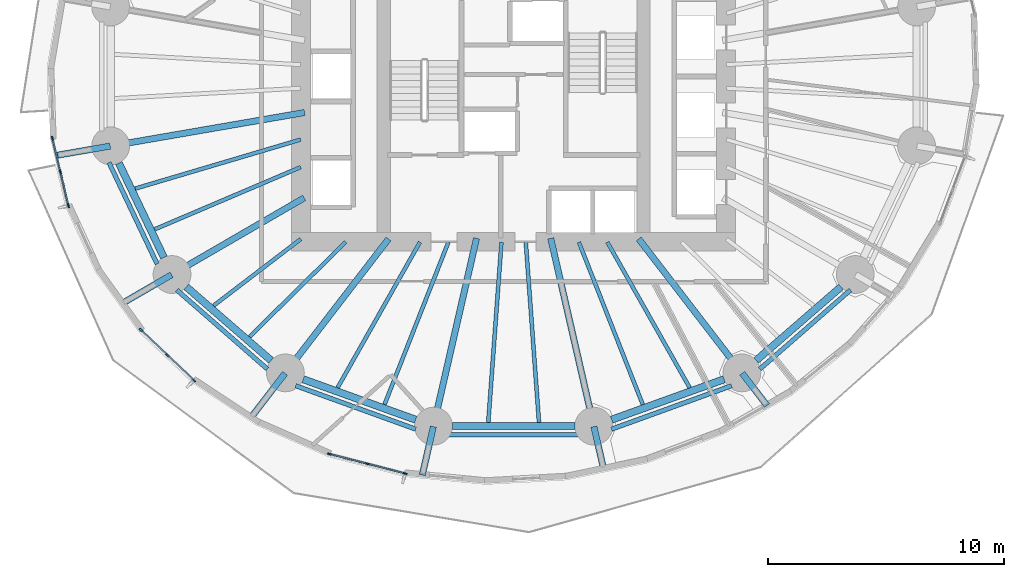
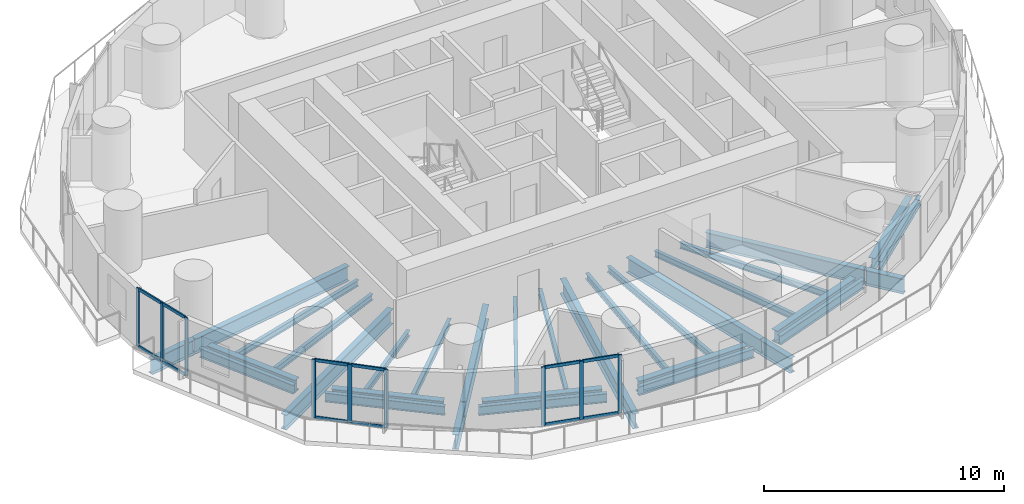
# One storey, part 2 of 14: 34 beams, 21 members, 3 elements without a shape of their own.
"""IFC4 building model written with IfcOpenShell, lengths in metres."""

from ifc_helpers import new_model, si_unit, direction, frame, origin, origin_2d, place, context, subcontext, project, spatial, rectangle, i_section, extrude, material, material_profile, profile_set, type_object, element, aggregate, save


model = new_model("IFC4")

# Units and contexts
model_context = context("Model", 3, precision=1e-05, world=origin(), true_north=direction((0.0, 1.0)))
body_context = subcontext(model_context, "Body", "Model", "MODEL_VIEW")
ifc_project = project(units=[si_unit("LENGTHUNIT", "METRE"), si_unit("AREAUNIT", "SQUARE_METRE"), si_unit("VOLUMEUNIT", "CUBIC_METRE"), si_unit("PLANEANGLEUNIT", "RADIAN"), si_unit("MASSUNIT", "GRAM", prefix="KILO")], contexts=[model_context])

# Site, building, storey
site_placement = place(None, origin())
site = spatial("IfcSite", under=ifc_project, at=site_placement, CompositionType="ELEMENT")
building_placement = place(site_placement, origin())
building = spatial("IfcBuilding", under=site, at=building_placement, Name="Veldorim Arch Residences", CompositionType="ELEMENT")
storey_placement = place(building_placement, frame((0.0, 0.0, 34.39990234375)))
storey = spatial("IfcBuildingStorey", under=building, at=storey_placement, Name="L09", CompositionType="ELEMENT", Elevation=34.39990234375)

# Beams
ifc_material_1 = material(Name="Steel S355", Category="steel")
ifc_material_profile_1 = material_profile(ifc_material_1, i_section(OverallWidth=0.30712890625, OverallDepth=0.6201171875, WebThickness=0.01416015625, FlangeThickness=0.023681640625, at=origin_2d()), Name="UB610x305x179")
ifc_profile_set_1 = profile_set([ifc_material_profile_1], Name="Steel S355")
beam_type_1 = type_object("IfcBeamType", Name="Structural Steel Beam UB610x305x179", PredefinedType="BEAM", material=ifc_profile_set_1)
beam_1_placement = place(storey_placement, frame((15.27880859375, 20.33203125, -0.550048828125), z_axis=(0.430786696724, -0.902453778276, 0.0), x_axis=(0.902453778276, 0.430786696724, 0.0)))
element("IfcBeam", 1, at=beam_1_placement, inside=storey, type_object=beam_type_1, Name="L09 perimeter ring tie beam 09", PredefinedType="BEAM", context=body_context, shape_type="SweptSolid", body=[
    extrude(i_section(OverallWidth=0.30712890625, OverallDepth=0.6201171875, WebThickness=0.01416015625, FlangeThickness=0.023681640625, at=origin_2d()), origin(), (0.0, 0.0, 1.0), 4.431396484375),
])
beam_2_placement = place(storey_placement, frame((18.13671875, 15.086669921875, -0.550048828125), z_axis=(0.755235029424, -0.655454079499, 0.0), x_axis=(0.655454079499, 0.755235029424, 0.0)))
element("IfcBeam", 2, at=beam_2_placement, inside=storey, type_object=beam_type_1, Name="L09 perimeter ring tie beam 10", PredefinedType="BEAM", context=body_context, shape_type="SweptSolid", body=[
    extrude(i_section(OverallWidth=0.30712890625, OverallDepth=0.6201171875, WebThickness=0.01416015625, FlangeThickness=0.023681640625, at=origin_2d()), origin(), (0.0, 0.0, 1.0), 4.756591796875),
])
beam_3_placement = place(storey_placement, frame((23.0859375, 11.17431640625, -0.550048828125), z_axis=(0.94103540046, -0.338308106732, 0.0), x_axis=(0.338308106732, 0.94103540046, 0.0)))
element("IfcBeam", 3, at=beam_3_placement, inside=storey, type_object=beam_type_1, Name="L09 perimeter ring tie beam 11", PredefinedType="BEAM", context=body_context, shape_type="SweptSolid", body=[
    extrude(i_section(OverallWidth=0.30712890625, OverallDepth=0.6201171875, WebThickness=0.01416015625, FlangeThickness=0.023681640625, at=origin_2d()), origin(), (0.0, 0.0, 1.0), 5.065185546875),
])
beam_4_placement = place(storey_placement, frame((29.405517578125, 9.190185546875, -0.550048828125), z_axis=(1.0, 0.0, 0.0), x_axis=(0.0, 1.0, 0.0)))
element("IfcBeam", 4, at=beam_4_placement, inside=storey, type_object=beam_type_1, Name="L09 perimeter ring tie beam 12", PredefinedType="BEAM", context=body_context, shape_type="SweptSolid", body=[
    extrude(i_section(OverallWidth=0.30712890625, OverallDepth=0.6201171875, WebThickness=0.01416015625, FlangeThickness=0.023681640625, at=origin_2d()), origin(), (0.0, 0.0, 1.0), 5.18896484375),
])
beam_5_placement = place(storey_placement, frame((36.1474609375, 9.460693359375, -0.550048828125), z_axis=(0.94103540046, 0.338308106732, 0.0), x_axis=(-0.338308106732, 0.94103540046, 0.0)))
element("IfcBeam", 5, at=beam_5_placement, inside=storey, type_object=beam_type_1, Name="L09 perimeter ring tie beam 13", PredefinedType="BEAM", context=body_context, shape_type="SweptSolid", body=[
    extrude(i_section(OverallWidth=0.30712890625, OverallDepth=0.6201171875, WebThickness=0.01416015625, FlangeThickness=0.023681640625, at=origin_2d()), origin(), (0.0, 0.0, 1.0), 5.065185546875),
])
beam_6_placement = place(storey_placement, frame((42.27099609375, 11.968994140625, -0.550048828125), z_axis=(0.755235029424, 0.655454079499, 0.0), x_axis=(-0.655454079499, 0.755235029424, 0.0)))
element("IfcBeam", 6, at=beam_6_placement, inside=storey, type_object=beam_type_1, Name="L09 perimeter ring tie beam 14", PredefinedType="BEAM", context=body_context, shape_type="SweptSolid", body=[
    extrude(i_section(OverallWidth=0.30712890625, OverallDepth=0.6201171875, WebThickness=0.01416015625, FlangeThickness=0.023681640625, at=origin_2d()), origin(), (0.0, 0.0, 1.0), 4.756591796875),
])
ifc_material_2 = material(Name="Steel S355", Category="steel")
ifc_material_profile_2 = material_profile(ifc_material_2, i_section(OverallWidth=0.26806640625, OverallDepth=0.769775390625, WebThickness=0.015625, FlangeThickness=0.025390625, at=origin_2d()), Name="UB762x267x197")
ifc_profile_set_2 = profile_set([ifc_material_profile_2], Name="Steel S355")
beam_type_2 = type_object("IfcBeamType", Name="Structural Steel GIRDER UB762x267x197", PredefinedType="USERDEFINED", material=ifc_profile_set_2)
beam_7_placement = place(storey_placement, frame((23.147705078125, 22.471923828125, -0.624755859375), z_axis=(-0.985427548249, -0.170095699979, 0.0), x_axis=(0.170095699979, -0.985427548249, 0.0)))
element("IfcBeam", 7, at=beam_7_placement, inside=storey, type_object=beam_type_2, Name="L09 radial floor girder 09", ObjectType="GIRDER", PredefinedType="USERDEFINED", context=body_context, shape_type="SweptSolid", body=[
    extrude(i_section(OverallWidth=0.26806640625, OverallDepth=0.769775390625, WebThickness=0.015625, FlangeThickness=0.025390625, at=origin_2d()), origin(), (0.0, 0.0, 1.0), 8.314697265625),
])
beam_8_placement = place(storey_placement, frame((14.91455078125, 21.05078125, -0.624755859375), z_axis=(-0.985409805025, -0.170198461099, 0.0), x_axis=(0.170198461099, -0.985409805025, 0.0)))
element("IfcBeam", 8, at=beam_8_placement, inside=storey, type_object=beam_type_2, Name="L09 radial edge cantilever girder 09", ObjectType="GIRDER", PredefinedType="USERDEFINED", context=body_context, shape_type="SweptSolid", body=[
    extrude(i_section(OverallWidth=0.26806640625, OverallDepth=0.769775390625, WebThickness=0.015625, FlangeThickness=0.025390625, at=origin_2d()), origin(), (0.0, 0.0, 1.0), 2.29931640625),
])
beam_9_placement = place(storey_placement, frame((23.1298828125, 18.8564453125, -0.624755859375), z_axis=(-0.865088348752, -0.501619525989, 0.0), x_axis=(0.501619525989, -0.865088348752, 0.0)))
element("IfcBeam", 9, at=beam_9_placement, inside=storey, type_object=beam_type_2, Name="L09 radial floor girder 10", ObjectType="GIRDER", PredefinedType="USERDEFINED", context=body_context, shape_type="SweptSolid", body=[
    extrude(i_section(OverallWidth=0.26806640625, OverallDepth=0.769775390625, WebThickness=0.015625, FlangeThickness=0.025390625, at=origin_2d()), origin(), (0.0, 0.0, 1.0), 6.4501953125),
])
beam_10_placement = place(storey_placement, frame((17.51513671875, 15.600830078125, -0.624755859375), z_axis=(-0.865111527822, -0.501579549453, 0.0), x_axis=(0.501579549453, -0.865111527822, 0.0)))
element("IfcBeam", 10, at=beam_10_placement, inside=storey, type_object=beam_type_2, Name="L09 radial edge cantilever girder 10", ObjectType="GIRDER", PredefinedType="USERDEFINED", context=body_context, shape_type="SweptSolid", body=[
    extrude(i_section(OverallWidth=0.26806640625, OverallDepth=0.769775390625, WebThickness=0.015625, FlangeThickness=0.025390625, at=origin_2d()), origin(), (0.0, 0.0, 1.0), 2.426513671875),
])
beam_11_placement = place(storey_placement, frame((26.701904296875, 17.118896484375, -0.624755859375), z_axis=(-0.610082439157, -0.792337943956, 0.0), x_axis=(0.792337943956, -0.610082439157, 0.0)))
element("IfcBeam", 11, at=beam_11_placement, inside=storey, type_object=beam_type_2, Name="L09 radial floor girder 11", ObjectType="GIRDER", PredefinedType="USERDEFINED", context=body_context, shape_type="SweptSolid", body=[
    extrude(i_section(OverallWidth=0.26806640625, OverallDepth=0.769775390625, WebThickness=0.015625, FlangeThickness=0.025390625, at=origin_2d()), origin(), (0.0, 0.0, 1.0), 7.14111328125),
])
beam_12_placement = place(storey_placement, frame((22.32080078125, 11.428955078125, -0.624755859375), z_axis=(-0.610028458485, -0.792379504933, 0.0), x_axis=(0.792379504933, -0.610028458485, 0.0)))
element("IfcBeam", 12, at=beam_12_placement, inside=storey, type_object=beam_type_2, Name="L09 radial edge cantilever girder 11", ObjectType="GIRDER", PredefinedType="USERDEFINED", context=body_context, shape_type="SweptSolid", body=[
    extrude(i_section(OverallWidth=0.26806640625, OverallDepth=0.769775390625, WebThickness=0.015625, FlangeThickness=0.025390625, at=origin_2d()), origin(), (0.0, 0.0, 1.0), 2.37646484375),
])
beam_13_placement = place(storey_placement, frame((30.428955078125, 17.146240234375, -0.624755859375), z_axis=(-0.223411766201, -0.974724157248, 0.0), x_axis=(0.974724157248, -0.223411766201, 0.0)))
element("IfcBeam", 13, at=beam_13_placement, inside=storey, type_object=beam_type_2, Name="L09 radial floor girder 12", ObjectType="GIRDER", PredefinedType="USERDEFINED", context=body_context, shape_type="SweptSolid", body=[
    extrude(i_section(OverallWidth=0.26806640625, OverallDepth=0.769775390625, WebThickness=0.015625, FlangeThickness=0.025390625, at=origin_2d()), origin(), (0.0, 0.0, 1.0), 8.142333984375),
])
beam_14_placement = place(storey_placement, frame((28.600830078125, 9.170654296875, -0.624755859375), z_axis=(-0.22340367913, -0.974726010811, 0.0), x_axis=(0.974726010811, -0.22340367913, 0.0)))
element("IfcBeam", 14, at=beam_14_placement, inside=storey, type_object=beam_type_2, Name="L09 radial edge cantilever girder 12", ObjectType="GIRDER", PredefinedType="USERDEFINED", context=body_context, shape_type="SweptSolid", body=[
    extrude(i_section(OverallWidth=0.26806640625, OverallDepth=0.769775390625, WebThickness=0.015625, FlangeThickness=0.025390625, at=origin_2d()), origin(), (0.0, 0.0, 1.0), 2.10693359375),
])
beam_15_placement = place(storey_placement, frame((33.571044921875, 17.146240234375, -0.624755859375), z_axis=(0.223411766201, -0.974724157248, 0.0), x_axis=(0.974724157248, 0.223411766201, 0.0)))
element("IfcBeam", 15, at=beam_15_placement, inside=storey, type_object=beam_type_2, Name="L09 radial floor girder 13", ObjectType="GIRDER", PredefinedType="USERDEFINED", context=body_context, shape_type="SweptSolid", body=[
    extrude(i_section(OverallWidth=0.26806640625, OverallDepth=0.769775390625, WebThickness=0.015625, FlangeThickness=0.025390625, at=origin_2d()), origin(), (0.0, 0.0, 1.0), 8.142333984375),
])
beam_16_placement = place(storey_placement, frame((35.399169921875, 9.170654296875, -0.624755859375), z_axis=(0.223405058442, -0.974725694676, 0.0), x_axis=(0.974725694676, 0.223405058442, 0.0)))
element("IfcBeam", 16, at=beam_16_placement, inside=storey, type_object=beam_type_2, Name="L09 radial edge cantilever girder 13", ObjectType="GIRDER", PredefinedType="USERDEFINED", context=body_context, shape_type="SweptSolid", body=[
    extrude(i_section(OverallWidth=0.26806640625, OverallDepth=0.769775390625, WebThickness=0.015625, FlangeThickness=0.025390625, at=origin_2d()), origin(), (0.0, 0.0, 1.0), 1.839111328125),
])
beam_17_placement = place(storey_placement, frame((37.298095703125, 17.118896484375, -0.624755859375), z_axis=(0.610082439157, -0.792337943956, 0.0), x_axis=(0.792337943956, 0.610082439157, 0.0)))
element("IfcBeam", 17, at=beam_17_placement, inside=storey, type_object=beam_type_2, Name="L09 radial floor girder 14", ObjectType="GIRDER", PredefinedType="USERDEFINED", context=body_context, shape_type="SweptSolid", body=[
    extrude(i_section(OverallWidth=0.26806640625, OverallDepth=0.769775390625, WebThickness=0.015625, FlangeThickness=0.025390625, at=origin_2d()), origin(), (0.0, 0.0, 1.0), 7.14111328125),
])
beam_18_placement = place(storey_placement, frame((41.67919921875, 11.428955078125, -0.624755859375), z_axis=(0.610051931938, -0.792361432895, 0.0), x_axis=(0.792361432895, 0.610051931938, 0.0)))
element("IfcBeam", 18, at=beam_18_placement, inside=storey, type_object=beam_type_2, Name="L09 radial edge cantilever girder 14", ObjectType="GIRDER", PredefinedType="USERDEFINED", context=body_context, shape_type="SweptSolid", body=[
    extrude(i_section(OverallWidth=0.26806640625, OverallDepth=0.769775390625, WebThickness=0.015625, FlangeThickness=0.025390625, at=origin_2d()), origin(), (0.0, 0.0, 1.0), 1.728759765625),
])
ifc_material_3 = material(Name="Steel S355", Category="steel")
ifc_material_profile_3 = material_profile(ifc_material_3, i_section(OverallWidth=0.165771484375, OverallDepth=0.306640625, WebThickness=0.006591796875, FlangeThickness=0.01171875, at=origin_2d()), Name="UB305x165x46")
ifc_profile_set_3 = profile_set([ifc_material_profile_3], Name="Steel S355")
beam_type_3 = type_object("IfcBeamType", Name="Structural Steel Joist UB305x165x46", PredefinedType="JOIST", material=ifc_profile_set_3)
beam_19_placement = place(storey_placement, frame((22.980712890625, 21.32666015625, -0.393310546875), z_axis=(-0.958766778771, -0.284194060325, 0.0), x_axis=(0.284194060325, -0.958766778771, 0.0)))
element("IfcBeam", 19, at=beam_19_placement, inside=storey, type_object=beam_type_3, Name="L09 secondary radial floor joist 09-1", PredefinedType="JOIST", context=body_context, shape_type="SweptSolid", body=[
    extrude(i_section(OverallWidth=0.165771484375, OverallDepth=0.306640625, WebThickness=0.006591796875, FlangeThickness=0.01171875, at=origin_2d()), origin(), (0.0, 0.0, 1.0), 7.3115234375),
])
beam_20_placement = place(storey_placement, frame((22.981689453125, 20.15869140625, -0.393310546875), z_axis=(-0.920032948668, -0.391841005213, 0.0), x_axis=(0.391841005213, -0.920032948668, 0.0)))
element("IfcBeam", 20, at=beam_20_placement, inside=storey, type_object=beam_type_3, Name="L09 secondary radial floor joist 09-2", PredefinedType="JOIST", context=body_context, shape_type="SweptSolid", body=[
    extrude(i_section(OverallWidth=0.165771484375, OverallDepth=0.306640625, WebThickness=0.006591796875, FlangeThickness=0.01171875, at=origin_2d()), origin(), (0.0, 0.0, 1.0), 6.723388671875),
])
beam_21_placement = place(storey_placement, frame((22.984130859375, 17.1123046875, -0.393310546875), z_axis=(-0.794666431166, -0.607046343517, 0.0), x_axis=(0.607046343517, -0.794666431166, 0.0)))
element("IfcBeam", 21, at=beam_21_placement, inside=storey, type_object=beam_type_3, Name="L09 secondary radial floor joist 10-1", PredefinedType="JOIST", context=body_context, shape_type="SweptSolid", body=[
    extrude(i_section(OverallWidth=0.165771484375, OverallDepth=0.306640625, WebThickness=0.006591796875, FlangeThickness=0.01171875, at=origin_2d()), origin(), (0.0, 0.0, 1.0), 4.646728515625),
])
beam_22_placement = place(storey_placement, frame((24.885009765625, 16.986083984375, -0.393310546875), z_axis=(-0.712129078446, -0.702048556463, 0.0), x_axis=(0.702048556463, -0.712129078446, 0.0)))
element("IfcBeam", 22, at=beam_22_placement, inside=storey, type_object=beam_type_3, Name="L09 secondary radial floor joist 10-2", PredefinedType="JOIST", context=body_context, shape_type="SweptSolid", body=[
    extrude(i_section(OverallWidth=0.165771484375, OverallDepth=0.306640625, WebThickness=0.006591796875, FlangeThickness=0.01171875, at=origin_2d()), origin(), (0.0, 0.0, 1.0), 5.715576171875),
])
beam_23_placement = place(storey_placement, frame((28.03125, 16.982666015625, -0.393310546875), z_axis=(-0.492292335352, -0.870429926274, 0.0), x_axis=(0.870429926274, -0.492292335352, 0.0)))
element("IfcBeam", 23, at=beam_23_placement, inside=storey, type_object=beam_type_3, Name="L09 secondary radial floor joist 11-1", PredefinedType="JOIST", context=body_context, shape_type="SweptSolid", body=[
    extrude(i_section(OverallWidth=0.165771484375, OverallDepth=0.306640625, WebThickness=0.006591796875, FlangeThickness=0.01171875, at=origin_2d()), origin(), (0.0, 0.0, 1.0), 7.083251953125),
])
beam_24_placement = place(storey_placement, frame((29.237548828125, 16.9814453125, -0.393310546875), z_axis=(-0.366229833858, -0.930524426758, 0.0), x_axis=(0.930524426758, -0.366229833858, 0.0)))
element("IfcBeam", 24, at=beam_24_placement, inside=storey, type_object=beam_type_3, Name="L09 secondary radial floor joist 11-2", PredefinedType="JOIST", context=body_context, shape_type="SweptSolid", body=[
    extrude(i_section(OverallWidth=0.165771484375, OverallDepth=0.306640625, WebThickness=0.006591796875, FlangeThickness=0.01171875, at=origin_2d()), origin(), (0.0, 0.0, 1.0), 7.3896484375),
])
for number, where, z_axis, x_axis, name in (
    (25, (31.485107421875, 16.97998046875, -0.393310546875), (-0.073167620373, -0.997319657547, 0.0), (0.997319657547, -0.073167620373, 0.0), "L09 secondary radial floor joist 12-1"),
    (26, (32.514892578125, 16.97998046875, -0.393310546875), (0.073167620373, -0.997319657547, 0.0), (0.997319657547, 0.073167620373, 0.0), "L09 secondary radial floor joist 12-2"),
):
    element("IfcBeam", number, at=place(storey_placement, frame(where, z_axis=z_axis, x_axis=x_axis)), inside=storey, type_object=beam_type_3, Name=name, PredefinedType="JOIST", context=body_context, shape_type="SweptSolid", body=[
        extrude(i_section(OverallWidth=0.165771484375, OverallDepth=0.306640625, WebThickness=0.006591796875, FlangeThickness=0.01171875, at=origin_2d()), origin(), (0.0, 0.0, 1.0), 7.651123046875),
    ])
beam_25_placement = place(storey_placement, frame((34.762451171875, 16.9814453125, -0.393310546875), z_axis=(0.366229833858, -0.930524426758, 0.0), x_axis=(0.930524426758, 0.366229833858, 0.0)))
element("IfcBeam", 27, at=beam_25_placement, inside=storey, type_object=beam_type_3, Name="L09 secondary radial floor joist 13-1", PredefinedType="JOIST", context=body_context, shape_type="SweptSolid", body=[
    extrude(i_section(OverallWidth=0.165771484375, OverallDepth=0.306640625, WebThickness=0.006591796875, FlangeThickness=0.01171875, at=origin_2d()), origin(), (0.0, 0.0, 1.0), 7.3896484375),
])
beam_26_placement = place(storey_placement, frame((35.96875, 16.982666015625, -0.393310546875), z_axis=(0.492292335352, -0.870429926274, 0.0), x_axis=(0.870429926274, 0.492292335352, 0.0)))
element("IfcBeam", 28, at=beam_26_placement, inside=storey, type_object=beam_type_3, Name="L09 secondary radial floor joist 13-2", PredefinedType="JOIST", context=body_context, shape_type="SweptSolid", body=[
    extrude(i_section(OverallWidth=0.165771484375, OverallDepth=0.306640625, WebThickness=0.006591796875, FlangeThickness=0.01171875, at=origin_2d()), origin(), (0.0, 0.0, 1.0), 7.083251953125),
])
ifc_material_4 = material(Name="Steel S355", Category="steel")
ifc_material_profile_4 = material_profile(ifc_material_4, i_section(OverallWidth=0.19140625, OverallDepth=0.4599609375, WebThickness=0.010009765625, FlangeThickness=0.01611328125, at=origin_2d()), Name="UB457x191x82")
ifc_profile_set_4 = profile_set([ifc_material_profile_4], Name="Steel S355")
beam_type_4 = type_object("IfcBeamType", Name="Structural Steel Spandrel UB457x191x82", PredefinedType="SPANDREL", material=ifc_profile_set_4)
beam_27_placement = place(storey_placement, frame((14.86181640625, 20.353515625, -0.489990234375), z_axis=(0.42886940858, -0.903366498374, 0.0), x_axis=(0.903366498374, 0.42886940858, 0.0)))
element("IfcBeam", 29, at=beam_27_placement, inside=storey, type_object=beam_type_4, Name="L09 perimeter chord spandrel beam 09", PredefinedType="SPANDREL", context=body_context, shape_type="SweptSolid", body=[
    extrude(i_section(OverallWidth=0.19140625, OverallDepth=0.4599609375, WebThickness=0.010009765625, FlangeThickness=0.01611328125, at=origin_2d()), origin(), (0.0, 0.0, 1.0), 4.7568359375),
])
beam_28_placement = place(storey_placement, frame((17.73388671875, 14.957275390625, -0.489990234375), z_axis=(0.753250231024, -0.65773405679, 0.0), x_axis=(0.65773405679, 0.753250231024, 0.0)))
element("IfcBeam", 30, at=beam_28_placement, inside=storey, type_object=beam_type_4, Name="L09 perimeter chord spandrel beam 10", PredefinedType="SPANDREL", context=body_context, shape_type="SweptSolid", body=[
    extrude(i_section(OverallWidth=0.19140625, OverallDepth=0.4599609375, WebThickness=0.010009765625, FlangeThickness=0.01611328125, at=origin_2d()), origin(), (0.0, 0.0, 1.0), 5.09423828125),
])
beam_29_placement = place(storey_placement, frame((22.76318359375, 10.904052734375, -0.489990234375), z_axis=(0.940271320222, -0.340425974873, 0.0), x_axis=(0.340425974873, 0.940271320222, 0.0)))
element("IfcBeam", 31, at=beam_29_placement, inside=storey, type_object=beam_type_4, Name="L09 perimeter chord spandrel beam 11", PredefinedType="SPANDREL", context=body_context, shape_type="SweptSolid", body=[
    extrude(i_section(OverallWidth=0.19140625, OverallDepth=0.4599609375, WebThickness=0.010009765625, FlangeThickness=0.01611328125, at=origin_2d()), origin(), (0.0, 0.0, 1.0), 5.4189453125),
])
beam_30_placement = place(storey_placement, frame((29.224609375, 8.819580078125, -0.489990234375), z_axis=(1.0, 0.0, 0.0), x_axis=(0.0, 1.0, 0.0)))
element("IfcBeam", 32, at=beam_30_placement, inside=storey, type_object=beam_type_4, Name="L09 perimeter chord spandrel beam 12", PredefinedType="SPANDREL", context=body_context, shape_type="SweptSolid", body=[
    extrude(i_section(OverallWidth=0.19140625, OverallDepth=0.4599609375, WebThickness=0.010009765625, FlangeThickness=0.01611328125, at=origin_2d()), origin(), (0.0, 0.0, 1.0), 5.55078125),
])
beam_31_placement = place(storey_placement, frame((36.1416015625, 9.059326171875, -0.489990234375), z_axis=(0.940271320222, 0.340425974873, 0.0), x_axis=(-0.340425974873, 0.940271320222, 0.0)))
element("IfcBeam", 33, at=beam_31_placement, inside=storey, type_object=beam_type_4, Name="L09 perimeter chord spandrel beam 13", PredefinedType="SPANDREL", context=body_context, shape_type="SweptSolid", body=[
    extrude(i_section(OverallWidth=0.19140625, OverallDepth=0.4599609375, WebThickness=0.010009765625, FlangeThickness=0.01611328125, at=origin_2d()), origin(), (0.0, 0.0, 1.0), 5.4189453125),
])
beam_32_placement = place(storey_placement, frame((42.428955078125, 11.606689453125, -0.489990234375), z_axis=(0.753250231024, 0.65773405679, 0.0), x_axis=(-0.65773405679, 0.753250231024, 0.0)))
element("IfcBeam", 34, at=beam_32_placement, inside=storey, type_object=beam_type_4, Name="L09 perimeter chord spandrel beam 14", PredefinedType="SPANDREL", context=body_context, shape_type="SweptSolid", body=[
    extrude(i_section(OverallWidth=0.19140625, OverallDepth=0.4599609375, WebThickness=0.010009765625, FlangeThickness=0.01611328125, at=origin_2d()), origin(), (0.0, 0.0, 1.0), 5.09423828125),
])

# Curtain wall, members
ifc_material_5 = material(Name="Aluminium", Category="aluminium")
curtain_wall_type = type_object("IfcCurtainWallType", Name="Zone 1 Acoustic Low-E Unitised Curtain Wall", PredefinedType="NOTDEFINED", material=ifc_material_5)
curtain_wall_1_placement = place(storey_placement, origin())
curtain_wall_1 = element("IfcCurtainWall", 35, at=curtain_wall_1_placement, inside=storey, type_object=curtain_wall_type, Name="L09 unitised curtain wall bay 19", PredefinedType="NOTDEFINED")
ifc_material_6 = material(Name="Aluminium", Category="aluminium")
ifc_material_profile_5 = material_profile(ifc_material_6, rectangle(XDim=0.06494140625, YDim=0.175048828125, at=origin_2d()), Name="ALU_MUL_65x175")
ifc_profile_set_5 = profile_set([ifc_material_profile_5], Name="Aluminium")
member_type_1 = type_object("IfcMemberType", Name="Zone 1 Acoustic Low-E Unitised Curtain Wall Mullion 65x175", PredefinedType="MULLION", material=ifc_profile_set_5)
member_1_placement = place(storey_placement, frame((13.143310546875, 18.526123046875, 0.0), z_axis=(0.0, 0.0, 1.0), x_axis=(-0.973129808051, -0.230257196808, 0.0)))
member_1 = element("IfcMember", 36, at=member_1_placement, type_object=member_type_1, Name="CW-Z1 mullion 1", PredefinedType="MULLION", context=body_context, shape_type="SweptSolid", body=[
    extrude(rectangle(XDim=0.06494140625, YDim=0.175048828125, at=origin_2d()), origin(), (0.0, 0.0, 1.0), 2.960205078125),
])
member_2_placement = place(storey_placement, frame((12.805419921875, 19.955078125, 0.0), z_axis=(0.0, 0.0, 1.0), x_axis=(-0.973129808051, -0.230257196808, 0.0)))
member_2 = element("IfcMember", 37, at=member_2_placement, type_object=member_type_1, Name="CW-Z1 mullion 2", PredefinedType="MULLION", context=body_context, shape_type="SweptSolid", body=[
    extrude(rectangle(XDim=0.06494140625, YDim=0.175048828125, at=origin_2d()), origin(), (0.0, 0.0, 1.0), 2.960205078125),
])
member_3_placement = place(storey_placement, frame((12.46728515625, 21.384033203125, 0.0), z_axis=(0.0, 0.0, 1.0), x_axis=(-0.973129808051, -0.230257196808, 0.0)))
member_3 = element("IfcMember", 38, at=member_3_placement, type_object=member_type_1, Name="CW-Z1 mullion 3", PredefinedType="MULLION", context=body_context, shape_type="SweptSolid", body=[
    extrude(rectangle(XDim=0.06494140625, YDim=0.175048828125, at=origin_2d()), origin(), (0.0, 0.0, 1.0), 2.960205078125),
])

curtain_wall_2_placement = place(storey_placement, origin())
curtain_wall_2 = element("IfcCurtainWall", 39, at=curtain_wall_2_placement, inside=storey, type_object=curtain_wall_type, Name="L09 unitised curtain wall bay 22", PredefinedType="NOTDEFINED")
member_4_placement = place(storey_placement, frame((18.45703125, 11.132080078125, 0.0), z_axis=(0.0, 0.0, 1.0), x_axis=(-0.689245020922, -0.724528330111, 0.0)))
member_4 = element("IfcMember", 40, at=member_4_placement, type_object=member_type_1, Name="CW-Z1 mullion 1", PredefinedType="MULLION", context=body_context, shape_type="SweptSolid", body=[
    extrude(rectangle(XDim=0.06494140625, YDim=0.175048828125, at=origin_2d()), origin(), (0.0, 0.0, 1.0), 2.960205078125),
])
member_5_placement = place(storey_placement, frame((17.337890625, 12.197021484375, 0.0), z_axis=(0.0, 0.0, 1.0), x_axis=(-0.689245020922, -0.724528330111, 0.0)))
member_5 = element("IfcMember", 41, at=member_5_placement, type_object=member_type_1, Name="CW-Z1 mullion 2", PredefinedType="MULLION", context=body_context, shape_type="SweptSolid", body=[
    extrude(rectangle(XDim=0.06494140625, YDim=0.175048828125, at=origin_2d()), origin(), (0.0, 0.0, 1.0), 2.960205078125),
])
member_6_placement = place(storey_placement, frame((16.21875, 13.26171875, 0.0), z_axis=(0.0, 0.0, 1.0), x_axis=(-0.689245020922, -0.724528330111, 0.0)))
member_6 = element("IfcMember", 42, at=member_6_placement, type_object=member_type_1, Name="CW-Z1 mullion 3", PredefinedType="MULLION", context=body_context, shape_type="SweptSolid", body=[
    extrude(rectangle(XDim=0.06494140625, YDim=0.175048828125, at=origin_2d()), origin(), (0.0, 0.0, 1.0), 2.960205078125),
])

curtain_wall_3_placement = place(storey_placement, origin())
curtain_wall_3 = element("IfcCurtainWall", 43, at=curtain_wall_3_placement, inside=storey, type_object=curtain_wall_type, Name="L09 unitised curtain wall bay 25", PredefinedType="NOTDEFINED")
member_7_placement = place(storey_placement, frame((27.404296875, 7.18212890625, 0.0), z_axis=(0.0, 0.0, 1.0), x_axis=(-0.250259756916, -0.968178730436, 0.0)))
member_7 = element("IfcMember", 44, at=member_7_placement, type_object=member_type_1, Name="CW-Z1 mullion 1", PredefinedType="MULLION", context=body_context, shape_type="SweptSolid", body=[
    extrude(rectangle(XDim=0.06494140625, YDim=0.175048828125, at=origin_2d()), origin(), (0.0, 0.0, 1.0), 2.960205078125),
])
member_8_placement = place(storey_placement, frame((25.802001953125, 7.59619140625, 0.0), z_axis=(0.0, 0.0, 1.0), x_axis=(-0.250259756916, -0.968178730436, 0.0)))
member_8 = element("IfcMember", 45, at=member_8_placement, type_object=member_type_1, Name="CW-Z1 mullion 2", PredefinedType="MULLION", context=body_context, shape_type="SweptSolid", body=[
    extrude(rectangle(XDim=0.06494140625, YDim=0.175048828125, at=origin_2d()), origin(), (0.0, 0.0, 1.0), 2.960205078125),
])
member_9_placement = place(storey_placement, frame((24.19970703125, 8.01025390625, 0.0), z_axis=(0.0, 0.0, 1.0), x_axis=(-0.250259756916, -0.968178730436, 0.0)))
member_9 = element("IfcMember", 46, at=member_9_placement, type_object=member_type_1, Name="CW-Z1 mullion 3", PredefinedType="MULLION", context=body_context, shape_type="SweptSolid", body=[
    extrude(rectangle(XDim=0.06494140625, YDim=0.175048828125, at=origin_2d()), origin(), (0.0, 0.0, 1.0), 2.960205078125),
])

# Member
ifc_material_7 = material(Name="Aluminium", Category="aluminium")
ifc_material_profile_6 = material_profile(ifc_material_7, rectangle(XDim=0.06494140625, YDim=0.14990234375, at=origin_2d()), Name="ALU_TRN_65x150")
ifc_profile_set_6 = profile_set([ifc_material_profile_6], Name="Aluminium")
member_type_2 = type_object("IfcMemberType", Name="Zone 1 Acoustic Low-E Unitised Curtain Wall Transom 65x150", PredefinedType="USERDEFINED", material=ifc_profile_set_6)
member_10_placement = place(storey_placement, frame((13.135986328125, 18.557861328125, 0.03271484375), z_axis=(-0.230319002626, 0.97311518179, 0.0), x_axis=(-0.97311518179, -0.230319002626, 0.0)))
member_10 = element("IfcMember", 47, at=member_10_placement, type_object=member_type_2, Name="CW-Z1 transom 1.1", ObjectType="TRANSOM", PredefinedType="USERDEFINED", context=body_context, shape_type="SweptSolid", body=[
    extrude(rectangle(XDim=0.06494140625, YDim=0.14990234375, at=origin_2d()), origin(), (0.0, 0.0, 1.0), 1.403564453125),
])

member_11_placement = place(storey_placement, frame((13.135986328125, 18.557861328125, 2.927490234375), z_axis=(-0.230319002626, 0.97311518179, 0.0), x_axis=(-0.97311518179, -0.230319002626, 0.0)))
member_11 = element("IfcMember", 48, at=member_11_placement, type_object=member_type_2, Name="CW-Z1 transom 1.2", ObjectType="TRANSOM", PredefinedType="USERDEFINED", context=body_context, shape_type="SweptSolid", body=[
    extrude(rectangle(XDim=0.06494140625, YDim=0.14990234375, at=origin_2d()), origin(), (0.0, 0.0, 1.0), 1.403564453125),
])

member_12_placement = place(storey_placement, frame((12.7978515625, 19.98681640625, 0.03271484375), z_axis=(-0.230319002626, 0.97311518179, 0.0), x_axis=(-0.97311518179, -0.230319002626, 0.0)))
member_12 = element("IfcMember", 49, at=member_12_placement, type_object=member_type_2, Name="CW-Z1 transom 2.1", ObjectType="TRANSOM", PredefinedType="USERDEFINED", context=body_context, shape_type="SweptSolid", body=[
    extrude(rectangle(XDim=0.06494140625, YDim=0.14990234375, at=origin_2d()), origin(), (0.0, 0.0, 1.0), 1.403564453125),
])

member_13_placement = place(storey_placement, frame((12.7978515625, 19.98681640625, 2.927490234375), z_axis=(-0.230319002626, 0.97311518179, 0.0), x_axis=(-0.97311518179, -0.230319002626, 0.0)))
member_13 = element("IfcMember", 50, at=member_13_placement, type_object=member_type_2, Name="CW-Z1 transom 2.2", ObjectType="TRANSOM", PredefinedType="USERDEFINED", context=body_context, shape_type="SweptSolid", body=[
    extrude(rectangle(XDim=0.06494140625, YDim=0.14990234375, at=origin_2d()), origin(), (0.0, 0.0, 1.0), 1.403564453125),
])

aggregate(curtain_wall_1, [member_1, member_2, member_3, member_10, member_11, member_12, member_13])

member_14_placement = place(storey_placement, frame((18.43359375, 11.154541015625, 0.03271484375), z_axis=(-0.724459587436, 0.689317275406, 0.0), x_axis=(-0.689317275406, -0.724459587436, 0.0)))
member_14 = element("IfcMember", 51, at=member_14_placement, type_object=member_type_2, Name="CW-Z1 transom 1.1", ObjectType="TRANSOM", PredefinedType="USERDEFINED", context=body_context, shape_type="SweptSolid", body=[
    extrude(rectangle(XDim=0.06494140625, YDim=0.14990234375, at=origin_2d()), origin(), (0.0, 0.0, 1.0), 1.479736328125),
])

member_15_placement = place(storey_placement, frame((18.43359375, 11.154541015625, 2.927490234375), z_axis=(-0.724459587436, 0.689317275406, 0.0), x_axis=(-0.689317275406, -0.724459587436, 0.0)))
member_15 = element("IfcMember", 52, at=member_15_placement, type_object=member_type_2, Name="CW-Z1 transom 1.2", ObjectType="TRANSOM", PredefinedType="USERDEFINED", context=body_context, shape_type="SweptSolid", body=[
    extrude(rectangle(XDim=0.06494140625, YDim=0.14990234375, at=origin_2d()), origin(), (0.0, 0.0, 1.0), 1.479736328125),
])

member_16_placement = place(storey_placement, frame((17.314453125, 12.21923828125, 0.03271484375), z_axis=(-0.724537968506, 0.689234888984, 0.0), x_axis=(-0.689234888984, -0.724537968506, 0.0)))
member_16 = element("IfcMember", 53, at=member_16_placement, type_object=member_type_2, Name="CW-Z1 transom 2.1", ObjectType="TRANSOM", PredefinedType="USERDEFINED", context=body_context, shape_type="SweptSolid", body=[
    extrude(rectangle(XDim=0.06494140625, YDim=0.14990234375, at=origin_2d()), origin(), (0.0, 0.0, 1.0), 1.47998046875),
])

member_17_placement = place(storey_placement, frame((17.314453125, 12.21923828125, 2.927490234375), z_axis=(-0.724537968506, 0.689234888984, 0.0), x_axis=(-0.689234888984, -0.724537968506, 0.0)))
member_17 = element("IfcMember", 54, at=member_17_placement, type_object=member_type_2, Name="CW-Z1 transom 2.2", ObjectType="TRANSOM", PredefinedType="USERDEFINED", context=body_context, shape_type="SweptSolid", body=[
    extrude(rectangle(XDim=0.06494140625, YDim=0.14990234375, at=origin_2d()), origin(), (0.0, 0.0, 1.0), 1.47998046875),
])

aggregate(curtain_wall_2, [member_4, member_5, member_6, member_14, member_15, member_16, member_17])

member_18_placement = place(storey_placement, frame((27.372802734375, 7.190185546875, 0.03271484375), z_axis=(-0.968169369906, 0.25029596716, 0.0), x_axis=(-0.25029596716, -0.968169369906, 0.0)))
member_18 = element("IfcMember", 55, at=member_18_placement, type_object=member_type_2, Name="CW-Z1 transom 1.1", ObjectType="TRANSOM", PredefinedType="USERDEFINED", context=body_context, shape_type="SweptSolid", body=[
    extrude(rectangle(XDim=0.06494140625, YDim=0.14990234375, at=origin_2d()), origin(), (0.0, 0.0, 1.0), 1.58984375),
])

member_19_placement = place(storey_placement, frame((27.372802734375, 7.190185546875, 2.927490234375), z_axis=(-0.968169369906, 0.25029596716, 0.0), x_axis=(-0.25029596716, -0.968169369906, 0.0)))
member_19 = element("IfcMember", 56, at=member_19_placement, type_object=member_type_2, Name="CW-Z1 transom 1.2", ObjectType="TRANSOM", PredefinedType="USERDEFINED", context=body_context, shape_type="SweptSolid", body=[
    extrude(rectangle(XDim=0.06494140625, YDim=0.14990234375, at=origin_2d()), origin(), (0.0, 0.0, 1.0), 1.58984375),
])

member_20_placement = place(storey_placement, frame((25.7705078125, 7.604248046875, 0.03271484375), z_axis=(-0.968169369906, 0.25029596716, 0.0), x_axis=(-0.25029596716, -0.968169369906, 0.0)))
member_20 = element("IfcMember", 57, at=member_20_placement, type_object=member_type_2, Name="CW-Z1 transom 2.1", ObjectType="TRANSOM", PredefinedType="USERDEFINED", context=body_context, shape_type="SweptSolid", body=[
    extrude(rectangle(XDim=0.06494140625, YDim=0.14990234375, at=origin_2d()), origin(), (0.0, 0.0, 1.0), 1.58984375),
])

member_21_placement = place(storey_placement, frame((25.7705078125, 7.604248046875, 2.927490234375), z_axis=(-0.968169369906, 0.25029596716, 0.0), x_axis=(-0.25029596716, -0.968169369906, 0.0)))
member_21 = element("IfcMember", 58, at=member_21_placement, type_object=member_type_2, Name="CW-Z1 transom 2.2", ObjectType="TRANSOM", PredefinedType="USERDEFINED", context=body_context, shape_type="SweptSolid", body=[
    extrude(rectangle(XDim=0.06494140625, YDim=0.14990234375, at=origin_2d()), origin(), (0.0, 0.0, 1.0), 1.58984375),
])

aggregate(curtain_wall_3, [member_7, member_8, member_9, member_18, member_19, member_20, member_21])

save(model, "model.ifc")
